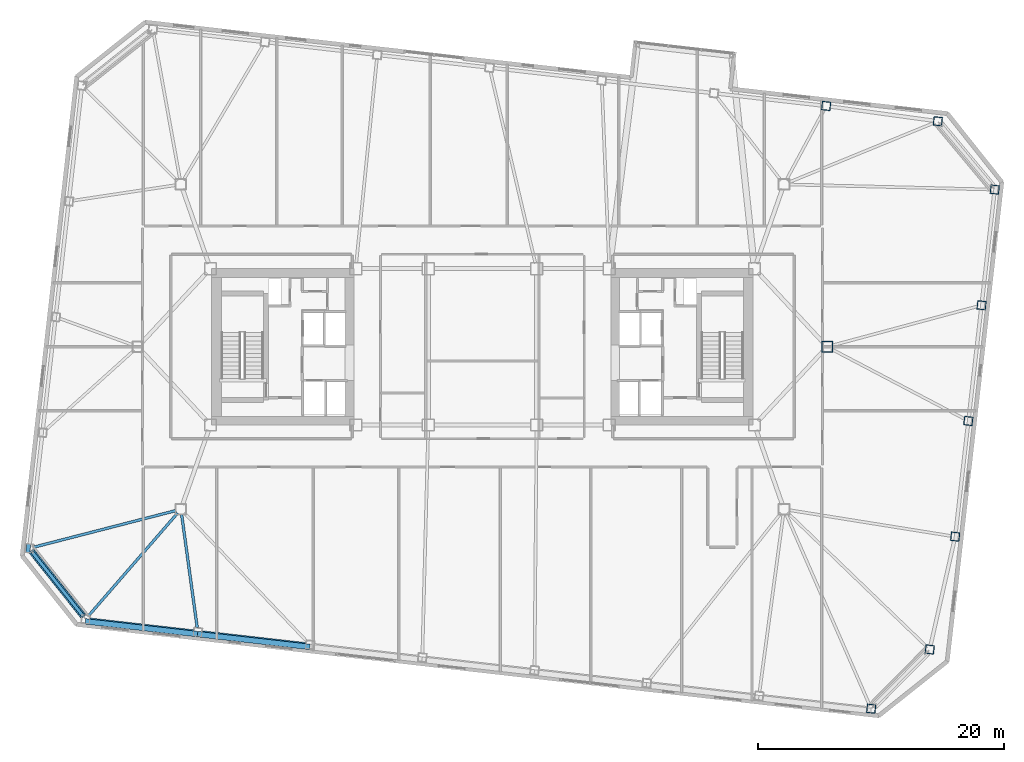
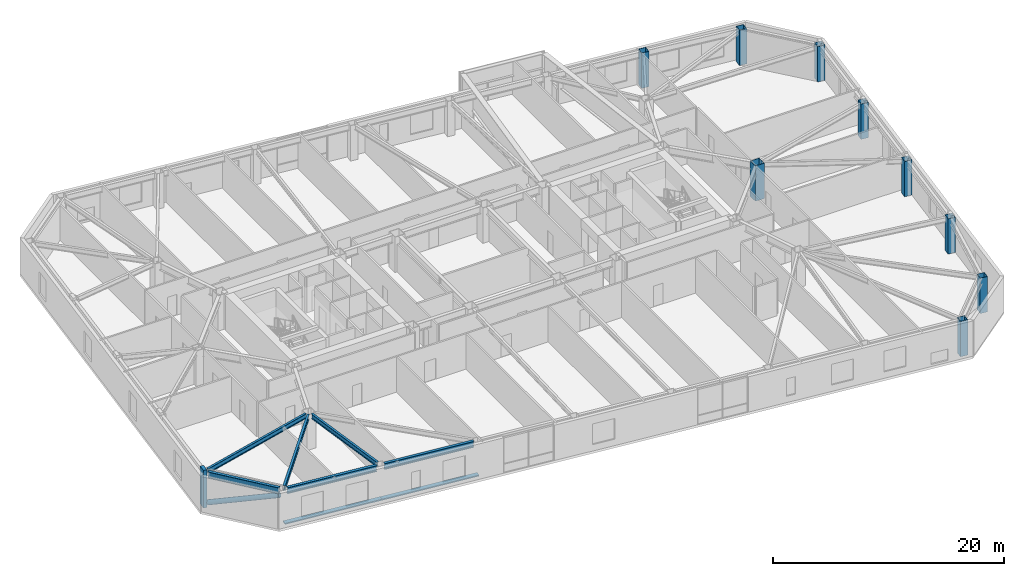
# One storey, part 3 of 23: 9 columns, 6 beams, 4 members.
"""IFC4 building model written with IfcOpenShell, lengths in metres."""

from ifc_helpers import new_model, si_unit, direction, frame, origin, origin_2d, place, context, subcontext, project, spatial, rectangle, hollow_rectangle, hollow_circle, i_section, extrude, material, material_profile, profile_set, type_object, element, save


model = new_model("IFC4")

# Units and contexts
model_context = context("Model", 3, precision=1e-05, world=origin(), true_north=direction((0.0, 1.0)))
body_context = subcontext(model_context, "Body", "Model", "MODEL_VIEW")
ifc_project = project(units=[si_unit("LENGTHUNIT", "METRE"), si_unit("AREAUNIT", "SQUARE_METRE"), si_unit("VOLUMEUNIT", "CUBIC_METRE"), si_unit("PLANEANGLEUNIT", "RADIAN"), si_unit("MASSUNIT", "GRAM", prefix="KILO")], contexts=[model_context])

# Site, building, storey
site_placement = place(None, origin())
site = spatial("IfcSite", under=ifc_project, at=site_placement, CompositionType="ELEMENT")
building_placement = place(site_placement, origin())
building = spatial("IfcBuilding", under=site, at=building_placement, Name="Tavrogorsk Clinical Tower", CompositionType="ELEMENT")
storey_placement = place(building_placement, frame((0.0, 0.0, 113.39990234375)))
storey = spatial("IfcBuildingStorey", under=building, at=storey_placement, Name="L25", CompositionType="ELEMENT", Elevation=113.39990234375)

# Columns
ifc_material_1 = material(Name="Structural steel S440", Category="steel")
ifc_material_profile_1 = material_profile(ifc_material_1, hollow_rectangle(XDim=0.89990234375, YDim=0.89990234375, WallThickness=0.0400390625, at=origin_2d()), Name="BOX-900x900x40")
ifc_profile_set_1 = profile_set([ifc_material_profile_1], Name="Structural steel S440")
column_type_1 = type_object("IfcColumnType", Name="MegaCol_BOX900", PredefinedType="COLUMN", material=ifc_profile_set_1)
column_placement = place(storey_placement, frame((28.0, 0.0, 0.0), z_axis=(0.0, 0.0, 1.0), x_axis=(1.0, 0.0, 0.0)))
element("IfcColumn", 1, at=column_placement, inside=storey, type_object=column_type_1, Name="L25 Spine Pilotis Column MC-P6", PredefinedType="COLUMN", context=body_context, shape_type="SweptSolid", body=[
    extrude(hollow_rectangle(XDim=0.89990234375, YDim=0.89990234375, WallThickness=0.0400390625, at=origin_2d()), origin(), (0.0, 0.0, 1.0), 3.739990234375),
])
ifc_material_2 = material(Name="Structural steel S440", Category="steel")
ifc_material_profile_2 = material_profile(ifc_material_2, hollow_rectangle(XDim=0.699951171875, YDim=0.699951171875, WallThickness=0.031982421875, at=origin_2d()), Name="BOX-700x700x32")
ifc_profile_set_2 = profile_set([ifc_material_profile_2], Name="Structural steel S440")
column_type_2 = type_object("IfcColumnType", Name="PerimCol_B2_BOX700", PredefinedType="COLUMN", material=ifc_profile_set_2)
for number, where, z_axis, x_axis, name in (
    (2, (31.5830078125, -29.40087890625, 0.0), (0.0, 0.0, 1.0), (0.993571855677, -0.113203213768, 0.0), "L25 Perimeter Column S8"),
    (3, (36.99658203125, 18.323486328125, 0.0), (0.0, 0.0, 1.0), (0.993571855677, -0.113203213768, 0.0), "L25 Perimeter Column N1"),
    (4, (27.92578125, 19.567626953125, 0.0), (0.0, 0.0, 1.0), (0.993571855677, -0.113203213768, 0.0), "L25 Perimeter Column N2"),
    (5, (36.335693359375, -24.591796875, 0.0), (0.0, 0.0, 1.0), (0.993571855677, -0.113203213768, 0.0), "L25 Perimeter Column E1"),
    (6, (38.4091796875, -15.423828125, 0.0), (0.0, 0.0, 1.0), (0.993571855677, -0.113203213768, 0.0), "L25 Perimeter Column E2"),
    (7, (39.47998046875, -6.024658203125, 0.0), (0.0, 0.0, 1.0), (0.993571855677, -0.113203213768, 0.0), "L25 Perimeter Column E3"),
    (8, (40.551025390625, 3.37451171875, 0.0), (0.0, 0.0, 1.0), (0.993571855677, -0.113203213768, 0.0), "L25 Perimeter Column E4"),
    (9, (41.621826171875, 12.773681640625, 0.0), (0.0, 0.0, 1.0), (0.993571855677, -0.113203213768, 0.0), "L25 Perimeter Column E5"),
):
    element("IfcColumn", number, at=place(storey_placement, frame(where, z_axis=z_axis, x_axis=x_axis)), inside=storey, type_object=column_type_2, Name=name, PredefinedType="COLUMN", context=body_context, shape_type="SweptSolid", body=[
        extrude(hollow_rectangle(XDim=0.699951171875, YDim=0.699951171875, WallThickness=0.031982421875, at=origin_2d()), origin(), (0.0, 0.0, 1.0), 3.739990234375),
    ])

# Members
ifc_material_3 = material(Name="Anodised aluminium alloy AW-6063", Category="aluminium")
ifc_material_profile_3 = material_profile(ifc_material_3, rectangle(XDim=0.449951171875, YDim=0.1201171875, at=origin_2d()), Name="ALU-SUNSHADE-450x120")
ifc_profile_set_3 = profile_set([ifc_material_profile_3], Name="Anodised aluminium alloy AW-6063")
member_type_1 = type_object("IfcMemberType", Name="ChicagoSunshade_450x120", PredefinedType="USERDEFINED", material=ifc_profile_set_3)
for number, where, z_axis, x_axis, name in (
    (10, (-32.264404296875, -22.3076171875, 0.18017578125), (0.993572654864, -0.113196199166, 0.0), (0.113196199166, 0.993572654864, 0.0), "L25 South Aluminium Sunshade S1"),
    (11, (-23.146240234375, -23.346435546875, 0.18017578125), (0.993569662511, -0.113222461274, 0.0), (0.113222461274, 0.993569662511, 0.0), "L25 South Aluminium Sunshade S2"),
):
    element("IfcMember", number, at=place(storey_placement, frame(where, z_axis=z_axis, x_axis=x_axis)), inside=storey, type_object=member_type_1, Name=name, ObjectType="SUNSHADE", PredefinedType="USERDEFINED", context=body_context, shape_type="SweptSolid", body=[
        extrude(rectangle(XDim=0.449951171875, YDim=0.1201171875, at=origin_2d()), origin(), (0.0, 0.0, 1.0), 9.17724609375),
    ])
ifc_material_4 = material(Name="Structural steel S440", Category="steel")
ifc_material_profile_4 = material_profile(ifc_material_4, hollow_circle(Radius=0.25390625, WallThickness=0.02001953125, at=origin_2d()), Name="CHS-508x20")
ifc_profile_set_4 = profile_set([ifc_material_profile_4], Name="Structural steel S440")
member_type_2 = type_object("IfcMemberType", Name="ExoBrace_CHS508", PredefinedType="BRACE", material=ifc_profile_set_4)
member_1_placement = place(storey_placement, frame((-36.613037109375, -16.63623046875, 0.425048828125), z_axis=(0.583326985798, -0.73336936718, 0.349140371371), x_axis=(0.782619256143, 0.622500682662, 0.0)))
element("IfcMember", 12, at=member_1_placement, inside=storey, type_object=member_type_2, Name="L25 Corner Exoskeleton Brace W5-S1", PredefinedType="BRACE", context=body_context, shape_type="SweptSolid", body=[
    extrude(hollow_circle(Radius=0.25390625, WallThickness=0.02001953125, at=origin_2d()), origin(), (0.0, 0.0, 1.0), 7.1318359375),
])

# Beams
ifc_material_5 = material(Name="Structural steel S355", Category="steel")
ifc_material_profile_5 = material_profile(ifc_material_5, i_section(OverallWidth=0.219970703125, OverallDepth=0.5, WebThickness=0.012939453125, FlangeThickness=0.02001953125, at=origin_2d()), Name="B-500x220x13x20")
ifc_profile_set_5 = profile_set([ifc_material_profile_5], Name="Structural steel S355")
beam_type_1 = type_object("IfcBeamType", Name="FloorBeam_B500", PredefinedType="BEAM", material=ifc_profile_set_5)
beam_1_placement = place(storey_placement, frame((-24.7685546875, -13.509765625, 3.489990234375), z_axis=(-0.655213926096, -0.755443387058, 0.0), x_axis=(0.755443387058, -0.655213926096, 0.0)))
element("IfcBeam", 13, at=beam_1_placement, inside=storey, type_object=beam_type_1, Name="L25 Radial Floor Beam S1", PredefinedType="BEAM", context=body_context, shape_type="SweptSolid", body=[
    extrude(i_section(OverallWidth=0.219970703125, OverallDepth=0.5, WebThickness=0.012939453125, FlangeThickness=0.02001953125, at=origin_2d()), origin(), (0.0, 0.0, 1.0), 11.05126953125),
])
beam_2_placement = place(storey_placement, frame((-24.444091796875, -13.606201171875, 3.489990234375), z_axis=(0.136572505989, -0.990630077581, 0.0), x_axis=(0.990630077581, 0.136572505989, 0.0)))
element("IfcBeam", 14, at=beam_2_placement, inside=storey, type_object=beam_type_1, Name="L25 Radial Floor Beam S2", PredefinedType="BEAM", context=body_context, shape_type="SweptSolid", body=[
    extrude(i_section(OverallWidth=0.219970703125, OverallDepth=0.5, WebThickness=0.012939453125, FlangeThickness=0.02001953125, at=origin_2d()), origin(), (0.0, 0.0, 1.0), 9.2939453125),
])
beam_3_placement = place(storey_placement, frame((-24.89697265625, -13.30224609375, 3.489990234375), z_axis=(-0.968393085087, -0.24942901346, 0.0), x_axis=(0.24942901346, -0.968393085087, 0.0)))
element("IfcBeam", 15, at=beam_3_placement, inside=storey, type_object=beam_type_1, Name="L25 Radial Floor Beam W5", PredefinedType="BEAM", context=body_context, shape_type="SweptSolid", body=[
    extrude(i_section(OverallWidth=0.219970703125, OverallDepth=0.5, WebThickness=0.012939453125, FlangeThickness=0.02001953125, at=origin_2d()), origin(), (0.0, 0.0, 1.0), 11.9560546875),
])

# Member
ifc_material_6 = material(Name="Precast concrete B45 with limestone cladding", Category="masonry")
ifc_material_profile_6 = material_profile(ifc_material_6, rectangle(XDim=0.320068359375, YDim=0.719970703125, at=origin_2d()), Name="LIMESTONE-FIN-320x720")
ifc_profile_set_6 = profile_set([ifc_material_profile_6], Name="Precast concrete B45 with limestone cladding")
member_type_3 = type_object("IfcMemberType", Name="LimestonePleatFin_320x720", PredefinedType="USERDEFINED", material=ifc_profile_set_6)
member_2_placement = place(storey_placement, frame((-36.9013671875, -16.364501953125, 0.0), z_axis=(0.0, 0.0, 1.0), x_axis=(0.993571855677, -0.113203213768, 0.0)))
element("IfcMember", 16, at=member_2_placement, inside=storey, type_object=member_type_3, Name="L25 W Pleated Stone Fin 4", ObjectType="FIN", PredefinedType="USERDEFINED", context=body_context, shape_type="SweptSolid", body=[
    extrude(rectangle(XDim=0.320068359375, YDim=0.719970703125, at=origin_2d()), origin(), (0.0, 0.0, 1.0), 4.0),
])

# Beams
ifc_material_7 = material(Name="Structural steel S390", Category="steel")
ifc_material_profile_7 = material_profile(ifc_material_7, i_section(OverallWidth=0.280029296875, OverallDepth=0.64990234375, WebThickness=0.01611328125, FlangeThickness=0.02490234375, at=origin_2d()), Name="B-650x280x16x25")
ifc_profile_set_7 = profile_set([ifc_material_profile_7], Name="Structural steel S390")
beam_type_2 = type_object("IfcBeamType", Name="SpandrelBeam_B650", PredefinedType="SPANDREL", material=ifc_profile_set_7)
beam_4_placement = place(storey_placement, frame((-31.88818359375, -22.16943359375, 3.4150390625), z_axis=(0.99357232562, -0.113199089054, 0.0), x_axis=(0.113199089054, 0.99357232562, 0.0)))
element("IfcBeam", 17, at=beam_4_placement, inside=storey, type_object=beam_type_2, Name="L25 Perimeter Spandrel S1-S2", PredefinedType="SPANDREL", context=body_context, shape_type="SweptSolid", body=[
    extrude(i_section(OverallWidth=0.280029296875, OverallDepth=0.64990234375, WebThickness=0.01611328125, FlangeThickness=0.02490234375, at=origin_2d()), origin(), (0.0, 0.0, 1.0), 8.4609375),
])
beam_5_placement = place(storey_placement, frame((-22.770263671875, -23.208251953125, 3.4150390625), z_axis=(0.99357306506, -0.113192598642, 0.0), x_axis=(0.113192598642, 0.99357306506, 0.0)))
element("IfcBeam", 18, at=beam_5_placement, inside=storey, type_object=beam_type_2, Name="L25 Perimeter Spandrel S2-S3", PredefinedType="SPANDREL", context=body_context, shape_type="SweptSolid", body=[
    extrude(i_section(OverallWidth=0.280029296875, OverallDepth=0.64990234375, WebThickness=0.01611328125, FlangeThickness=0.02490234375, at=origin_2d()), origin(), (0.0, 0.0, 1.0), 8.46142578125),
])
beam_6_placement = place(storey_placement, frame((-36.59912109375, -16.65380859375, 3.4150390625), z_axis=(0.622530733212, -0.782595352788, 0.0), x_axis=(0.782595352788, 0.622530733212, 0.0)))
element("IfcBeam", 19, at=beam_6_placement, inside=storey, type_object=beam_type_2, Name="L25 Perimeter Spandrel W5-S1", PredefinedType="SPANDREL", context=body_context, shape_type="SweptSolid", body=[
    extrude(i_section(OverallWidth=0.280029296875, OverallDepth=0.64990234375, WebThickness=0.01611328125, FlangeThickness=0.02490234375, at=origin_2d()), origin(), (0.0, 0.0, 1.0), 6.637939453125),
])

save(model, "model.ifc")
